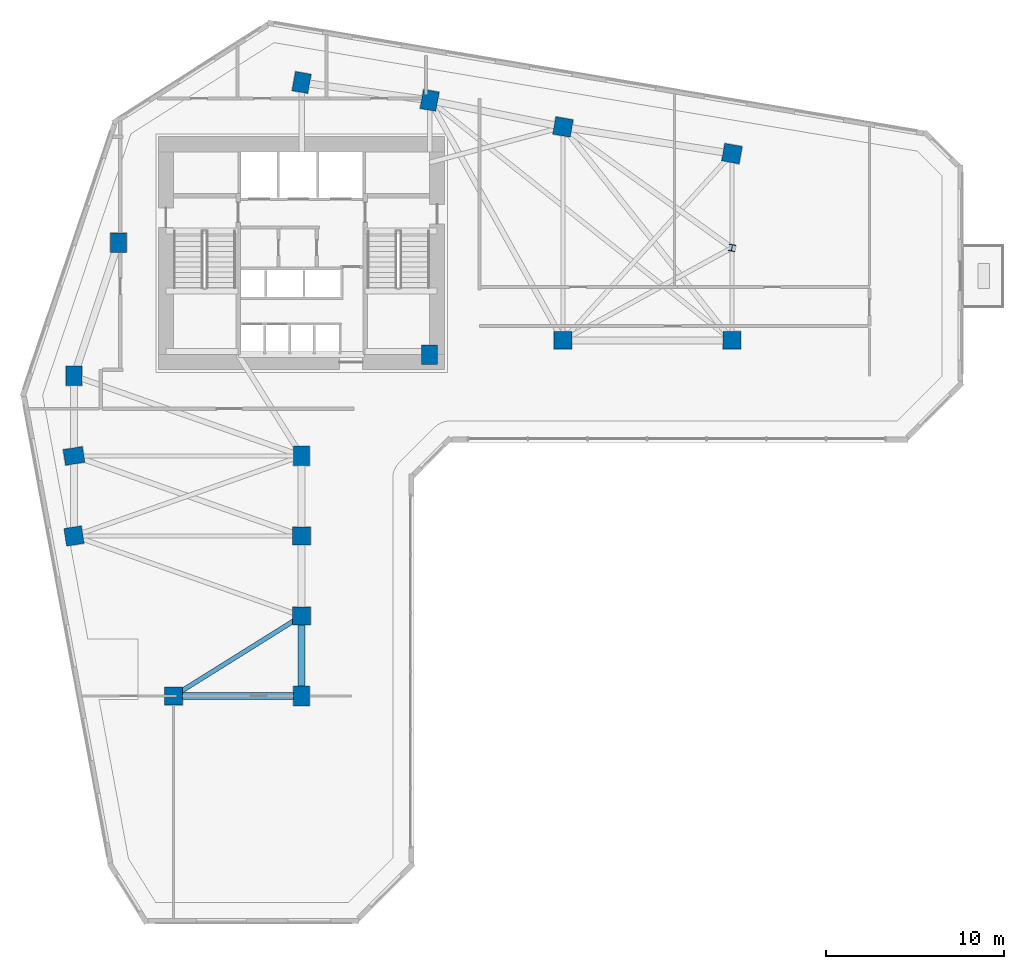
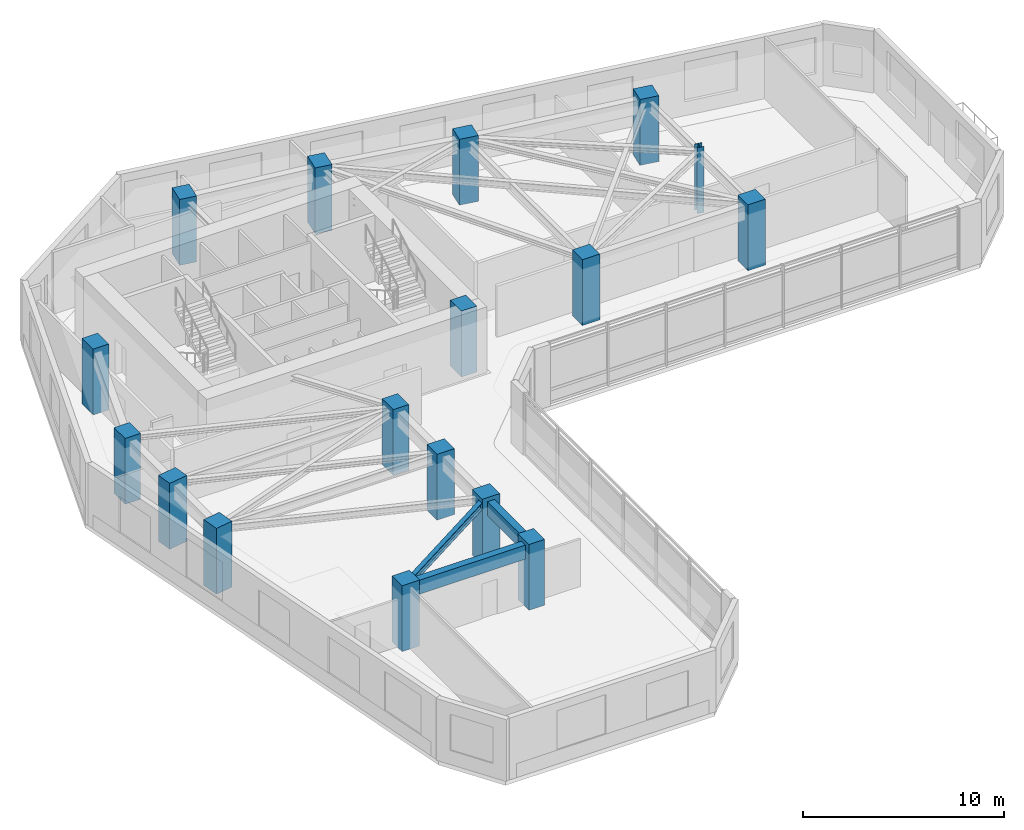
# One storey, part 1 of 11: 17 columns, 3 beams.
"""IFC4 building model written with IfcOpenShell, lengths in metres."""

from ifc_helpers import new_model, si_unit, direction, frame, origin, origin_2d, place, context, subcontext, project, spatial, rectangle, i_section, extrude, source, transform, mapped, material, material_profile, profile_set, type_object, element, save


model = new_model("IFC4")

# Units and contexts
model_context = context("Model", 3, precision=1e-05, world=origin(), true_north=direction((0.0, 1.0)))
body_context = subcontext(model_context, "Body", "Model", "MODEL_VIEW")
ifc_project = project(units=[si_unit("LENGTHUNIT", "METRE"), si_unit("AREAUNIT", "SQUARE_METRE"), si_unit("VOLUMEUNIT", "CUBIC_METRE"), si_unit("PLANEANGLEUNIT", "RADIAN"), si_unit("MASSUNIT", "GRAM", prefix="KILO")], contexts=[model_context])

# Site, building, storey
site_placement = place(None, origin())
site = spatial("IfcSite", under=ifc_project, at=site_placement, CompositionType="ELEMENT")
building_placement = place(site_placement, origin())
building = spatial("IfcBuilding", under=site, at=building_placement, Name="Calvemar Wedge Station Tower", CompositionType="ELEMENT")
storey_placement = place(building_placement, frame((0.0, 0.0, 35.0)))
storey = spatial("IfcBuildingStorey", under=building, at=storey_placement, Name="L08", CompositionType="ELEMENT", Elevation=35.0)

# Columns
ifc_material_1 = material(Name="Concrete C70", Category="concrete")
ifc_material_profile_1 = material_profile(ifc_material_1, rectangle(XDim=0.89990234375, YDim=1.10009765625, at=origin_2d()), Name="RC1100x900")
ifc_profile_set_1 = profile_set([ifc_material_profile_1], Name="Concrete C70")
column_type_1 = type_object("IfcColumnType", Name="COL-C3-1100x900", PredefinedType="COLUMN", material=ifc_profile_set_1)
shared_shape_1 = source(origin(), body_context, "Body", "SweptSolid", [
    extrude(rectangle(XDim=0.89990234375, YDim=1.10009765625, at=origin_2d()), origin(), (0.0, 0.0, 1.0), 4.0),
])
for number, where, z_axis, x_axis, name in (
    (1, (11.0, 33.0, 0.0), (0.0, 0.0, 1.0), (1.0, 0.0, 0.0), "Storey L08 Column T-NW1"),
    (2, (13.5, 40.5, 0.0), (0.0, 0.0, 1.0), (1.0, 0.0, 0.0), "Storey L08 Column T-NW2"),
    (3, (23.800048828125, 49.5, 0.0), (0.0, 0.0, 1.0), (0.984195607969, -0.17708474032, 0.0), "Storey L08 Column T-N1"),
    (4, (31.0, 48.5, 0.0), (0.0, 0.0, 1.0), (0.984195607969, -0.17708474032, 0.0), "Storey L08 Column T-N2"),
    (5, (31.0, 34.199951171875, 0.0), (0.0, 0.0, 1.0), (1.0, 0.0, 0.0), "Storey L08 Column T-NL1"),
    (6, (11.0, 28.5, 0.0), (0.0, 0.0, 1.0), (0.158158067254, -0.987413806751, 0.0), "Storey L08 Column T-SW1"),
    (7, (23.800048828125, 28.5, 0.0), (0.0, 0.0, 1.0), (1.0, 0.0, 0.0), "Storey L08 Column T-SE1"),
    (8, (23.800048828125, 15.0, 0.0), (0.0, 0.0, 1.0), (1.0, 0.0, 0.0), "Storey L08 Column T-SE4"),
):
    element("IfcColumn", number, at=place(storey_placement, frame(where, z_axis=z_axis, x_axis=x_axis)), inside=storey, type_object=column_type_1, Name=name, PredefinedType="COLUMN", context=body_context, shape_type="MappedRepresentation", body=[
        mapped(shared_shape_1, transform((0.0, 0.0, 0.0), scale=1.0)),
    ])
ifc_material_2 = material(Name="Concrete C60", Category="concrete")
ifc_material_profile_2 = material_profile(ifc_material_2, rectangle(XDim=1.0, YDim=1.0, at=origin_2d()), Name="RC1000x1000")
ifc_profile_set_2 = profile_set([ifc_material_profile_2], Name="Concrete C60")
column_type_2 = type_object("IfcColumnType", Name="COL-C4-1000", PredefinedType="COLUMN", material=ifc_profile_set_2)
shared_shape_2 = source(origin(), body_context, "Body", "SweptSolid", [
    extrude(rectangle(XDim=1.0, YDim=1.0, at=origin_2d()), origin(), (0.0, 0.0, 1.0), 4.0),
])
for number, where, z_axis, x_axis, name in (
    (9, (38.5, 47.0, 0.0), (0.0, 0.0, 1.0), (0.984195607969, -0.17708474032, 0.0), "Storey L08 Column T-NU3"),
    (10, (48.0, 45.5, 0.0), (0.0, 0.0, 1.0), (0.984195607969, -0.17708474032, 0.0), "Storey L08 Column T-NU4"),
    (11, (38.5, 35.0, 0.0), (0.0, 0.0, 1.0), (1.0, 0.0, 0.0), "Storey L08 Column T-NL2"),
    (12, (48.0, 35.0, 0.0), (0.0, 0.0, 1.0), (1.0, 0.0, 0.0), "Storey L08 Column T-NL3"),
    (13, (11.0, 24.0, 0.0), (0.0, 0.0, 1.0), (0.158158067254, -0.987413806751, 0.0), "Storey L08 Column T-SW2"),
    (14, (23.800048828125, 24.0, 0.0), (0.0, 0.0, 1.0), (1.0, 0.0, 0.0), "Storey L08 Column T-SE2"),
    (15, (23.800048828125, 19.5, 0.0), (0.0, 0.0, 1.0), (1.0, 0.0, 0.0), "Storey L08 Column T-SE3"),
    (16, (16.60009765625, 15.0, 0.0), (0.0, 0.0, 1.0), (1.0, 0.0, 0.0), "Storey L08 Column T-SM1"),
):
    element("IfcColumn", number, at=place(storey_placement, frame(where, z_axis=z_axis, x_axis=x_axis)), inside=storey, type_object=column_type_2, Name=name, PredefinedType="COLUMN", context=body_context, shape_type="MappedRepresentation", body=[
        mapped(shared_shape_2, transform((0.0, 0.0, 0.0), scale=1.0)),
    ])
ifc_material_3 = material(Name="Structural steel ASTM A572 Grade 50", Category="steel")
ifc_material_profile_3 = material_profile(ifc_material_3, i_section(OverallWidth=0.3740234375, OverallDepth=0.3720703125, WebThickness=0.016357421875, FlangeThickness=0.026123046875, FilletRadius=0.014892578125, at=origin_2d()), Name="W360x196")
ifc_profile_set_3 = profile_set([ifc_material_profile_3], Name="Structural steel ASTM A572 Grade 50")
column_type_3 = type_object("IfcColumnType", Name="COL-STL-W360", PredefinedType="COLUMN", material=ifc_profile_set_3)
shared_shape_3 = source(origin(), body_context, "Body", "SweptSolid", [
    extrude(i_section(OverallWidth=0.3740234375, OverallDepth=0.3720703125, WebThickness=0.016357421875, FlangeThickness=0.026123046875, FilletRadius=0.014892578125, at=origin_2d()), origin(), (0.0, 0.0, 1.0), 4.0),
])
column_placement = place(storey_placement, frame((48.0, 40.199951171875, 0.0), z_axis=(0.0, 0.0, 1.0), x_axis=(0.984195607969, -0.17708474032, 0.0)))
element("IfcColumn", 17, at=column_placement, inside=storey, type_object=column_type_3, Name="Storey L08 Column T-NTIP-A", PredefinedType="COLUMN", context=body_context, shape_type="MappedRepresentation", body=[
    mapped(shared_shape_3, transform((0.0, 0.0, 0.0), scale=1.0)),
])

# Beams
ifc_material_profile_4 = material_profile(ifc_material_2, rectangle(XDim=0.39990234375, YDim=0.85009765625, at=origin_2d()), Name="RC400x850")
ifc_profile_set_4 = profile_set([ifc_material_profile_4], Name="Concrete C60")
beam_type_1 = type_object("IfcBeamType", Name="BM-SP1-850", PredefinedType="SPANDREL", material=ifc_profile_set_4)
shared_shape_4 = source(origin(), body_context, "Body", "SweptSolid", [
    extrude(rectangle(XDim=0.39990234375, YDim=0.85009765625, at=origin_2d()), origin(), (0.0, 0.0, 1.0), 4.5),
])
beam_1_placement = place(storey_placement, frame((23.800048828125, 19.5, 3.324951171875), z_axis=(0.0, -1.0, 0.0), x_axis=(1.0, 0.0, 0.0)))
element("IfcBeam", 18, at=beam_1_placement, inside=storey, type_object=beam_type_1, Name="Storey L08 Spandrel T-SE3-T-SE4", PredefinedType="SPANDREL", context=body_context, shape_type="MappedRepresentation", body=[
    mapped(shared_shape_4, transform((0.0, 0.0, 0.0), scale=1.0)),
])
shared_shape_5 = source(origin(), body_context, "Body", "SweptSolid", [
    extrude(rectangle(XDim=0.39990234375, YDim=0.85009765625, at=origin_2d()), origin(), (0.0, 0.0, 1.0), 7.199951171875),
])
beam_2_placement = place(storey_placement, frame((16.60009765625, 15.0, 3.324951171875), z_axis=(1.0, 0.0, 0.0), x_axis=(0.0, 1.0, 0.0)))
element("IfcBeam", 19, at=beam_2_placement, inside=storey, type_object=beam_type_1, Name="Storey L08 Spandrel T-SM1-T-SE4", PredefinedType="SPANDREL", context=body_context, shape_type="MappedRepresentation", body=[
    mapped(shared_shape_5, transform((0.0, 0.0, 0.0), scale=1.0)),
])
ifc_material_profile_5 = material_profile(ifc_material_3, i_section(OverallWidth=0.260986328125, OverallDepth=0.419921875, WebThickness=0.01171875, FlangeThickness=0.019287109375, FilletRadius=0.012939453125, at=origin_2d()), Name="W410x114")
ifc_profile_set_5 = profile_set([ifc_material_profile_5], Name="Structural steel ASTM A572 Grade 50")
beam_type_2 = type_object("IfcBeamType", Name="BM-J2-W410H", PredefinedType="JOIST", material=ifc_profile_set_5)
shared_shape_6 = source(origin(), body_context, "Body", "SweptSolid", [
    extrude(i_section(OverallWidth=0.260986328125, OverallDepth=0.419921875, WebThickness=0.01171875, FlangeThickness=0.019287109375, FilletRadius=0.012939453125, at=origin_2d()), origin(), (0.0, 0.0, 1.0), 8.490478515625),
])
beam_3_placement = place(storey_placement, frame((23.800048828125, 19.5, 3.5400390625), z_axis=(-0.847996688584, -0.530001524668, 0.0), x_axis=(0.530001524668, -0.847996688584, 0.0)))
element("IfcBeam", 20, at=beam_3_placement, inside=storey, type_object=beam_type_2, Name="Storey L08 Floor Beam T-SE3-T-SM1", PredefinedType="JOIST", context=body_context, shape_type="MappedRepresentation", body=[
    mapped(shared_shape_6, transform((0.0, 0.0, 0.0), scale=1.0)),
])

save(model, "model.ifc")
